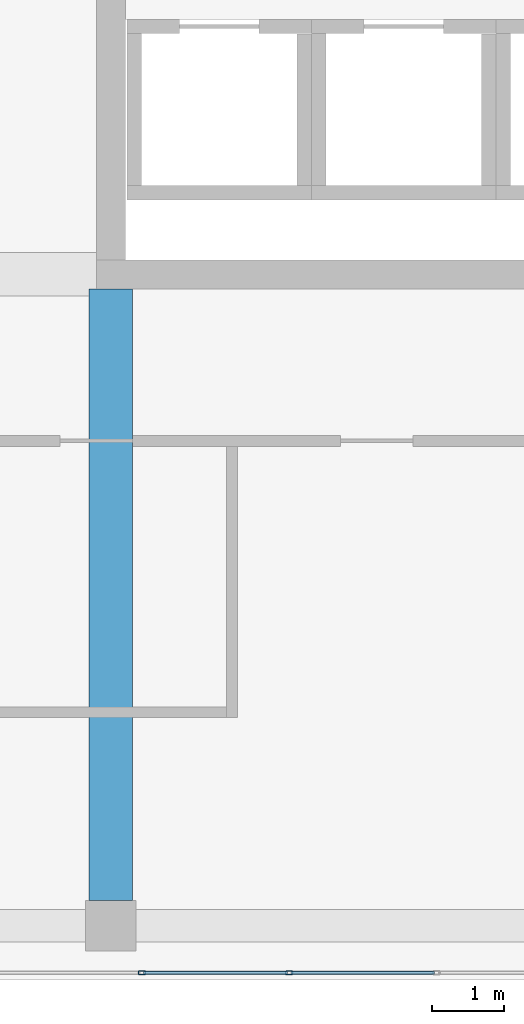
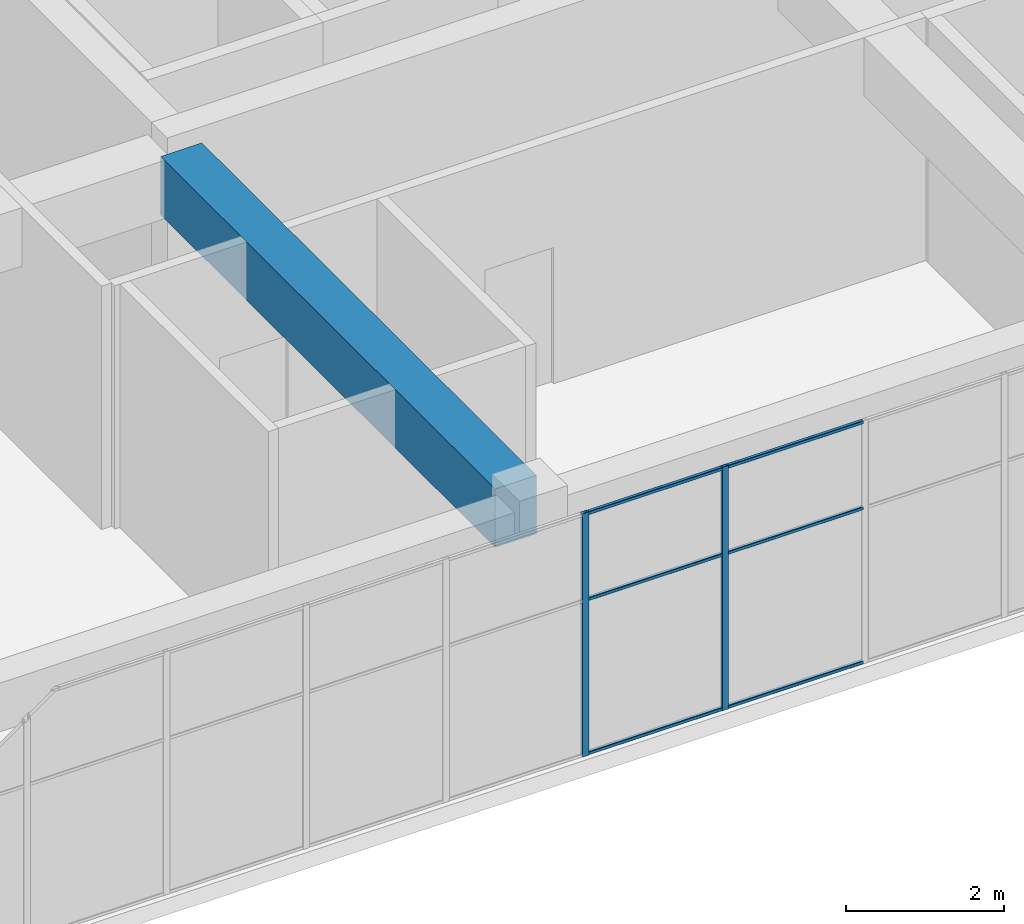
# One storey, part 12 of 43: 8 members, 1 beam, 1 element without a shape of its own.
"""IFC4 building model written with IfcOpenShell, lengths in metres."""

from ifc_helpers import new_model, si_unit, direction, frame, origin, origin_2d, place, context, subcontext, project, spatial, rectangle, hollow_rectangle, extrude, material, layer, layer_set, material_profile, profile_set, type_object, element, aggregate, save


model = new_model("IFC4")

# Units and contexts
model_context = context("Model", 3, precision=1e-05, world=origin(), true_north=direction((0.0, 1.0)))
body_context = subcontext(model_context, "Body", "Model", "MODEL_VIEW")
ifc_project = project(units=[si_unit("LENGTHUNIT", "METRE"), si_unit("AREAUNIT", "SQUARE_METRE"), si_unit("VOLUMEUNIT", "CUBIC_METRE"), si_unit("PLANEANGLEUNIT", "RADIAN"), si_unit("MASSUNIT", "GRAM", prefix="KILO")], contexts=[model_context])

# Site, building, storey
site_placement = place(None, origin())
site = spatial("IfcSite", under=ifc_project, at=site_placement, CompositionType="ELEMENT")
building_placement = place(site_placement, origin())
building = spatial("IfcBuilding", under=site, at=building_placement, Name="Tuart Plaza Theatre", CompositionType="ELEMENT")
storey_placement = place(building_placement, frame((0.0, 0.0, 33.5)))
storey = spatial("IfcBuildingStorey", under=building, at=storey_placement, Name="L08", CompositionType="ELEMENT", Elevation=33.5)

# Beam
ifc_material_1 = material(Name="Concrete N40 (40 MPa)", Category="concrete")
ifc_material_profile_1 = material_profile(ifc_material_1, rectangle(XDim=0.60009765625, YDim=0.89990234375, at=origin_2d()), Name="BEAM 600x900 Concrete N40 (40 MPa)")
ifc_profile_set_1 = profile_set([ifc_material_profile_1], Name="Concrete N40 (40 MPa)")
beam_type = type_object("IfcBeamType", Name="BEAM 600x900 Concrete N40 (40 MPa)", PredefinedType="BEAM", material=ifc_profile_set_1)
beam_placement = place(storey_placement, frame((123.0, 56.35009765625, 3.300048828125), z_axis=(0.0, 1.0, 0.0), x_axis=(-1.0, 0.0, 0.0)))
element("IfcBeam", 1, at=beam_placement, inside=storey, type_object=beam_type, Name="RB264", PredefinedType="BEAM", context=body_context, shape_type="SweptSolid", body=[
    extrude(rectangle(XDim=0.60009765625, YDim=0.89990234375, at=origin_2d()), origin(), (0.0, 0.0, 1.0), 8.449951171875),
])

# Curtain wall, members
ifc_material_2 = material(Name="Aluminium and glass", Category="aluminium")
ifc_layer = layer(ifc_material_2, 0.10009765625)
ifc_layer_set = layer_set([ifc_layer], Name="CURTAIN WALL 2000 module")
curtain_wall_type = type_object("IfcCurtainWallType", Name="CURTAIN WALL 2000 module", PredefinedType="NOTDEFINED", material=ifc_layer_set)
curtain_wall_placement = place(storey_placement, origin())
curtain_wall = element("IfcCurtainWall", 2, at=curtain_wall_placement, inside=storey, type_object=curtain_wall_type, Name="CW88", PredefinedType="NOTDEFINED")
ifc_material_3 = material(Name="Aluminium 6063-T5", Category="aluminium")
ifc_material_profile_2 = material_profile(ifc_material_3, hollow_rectangle(XDim=0.050048828125, YDim=0.10009765625, WallThickness=0.00390625, InnerFilletRadius=0.00390625, OuterFilletRadius=0.008056640625, at=origin_2d()), Name="RHS 100x50x4")
ifc_profile_set_2 = profile_set([ifc_material_profile_2], Name="Aluminium 6063-T5")
member_type_1 = type_object("IfcMemberType", Name="MULLION RHS 100x50x4", PredefinedType="MULLION", material=ifc_profile_set_2)
member_1_placement = place(storey_placement, frame((123.428466796875, 55.35009765625, 0.0), z_axis=(0.0, 0.0, 1.0), x_axis=(0.0, 1.0, 0.0)))
member_1 = element("IfcMember", 3, at=member_1_placement, type_object=member_type_1, Name="CW88 mullion 6", PredefinedType="MULLION", context=body_context, shape_type="SweptSolid", body=[
    extrude(hollow_rectangle(XDim=0.050048828125, YDim=0.10009765625, WallThickness=0.00390625, InnerFilletRadius=0.00390625, OuterFilletRadius=0.008056640625, at=origin_2d()), origin(), (0.0, 0.0, 1.0), 3.75),
])
member_2_placement = place(storey_placement, frame((125.46435546875, 55.35009765625, 0.0), z_axis=(0.0, 0.0, 1.0), x_axis=(0.0, 1.0, 0.0)))
member_2 = element("IfcMember", 4, at=member_2_placement, type_object=member_type_1, Name="CW88 mullion 7", PredefinedType="MULLION", context=body_context, shape_type="SweptSolid", body=[
    extrude(hollow_rectangle(XDim=0.050048828125, YDim=0.10009765625, WallThickness=0.00390625, InnerFilletRadius=0.00390625, OuterFilletRadius=0.008056640625, at=origin_2d()), origin(), (0.0, 0.0, 1.0), 3.75),
])
ifc_material_4 = material(Name="Aluminium 6063-T5", Category="aluminium")
ifc_material_profile_3 = material_profile(ifc_material_4, hollow_rectangle(XDim=0.050048828125, YDim=0.050048828125, WallThickness=0.00390625, InnerFilletRadius=0.00390625, OuterFilletRadius=0.008056640625, at=origin_2d()), Name="RHS 50x50x4")
ifc_profile_set_3 = profile_set([ifc_material_profile_3], Name="Aluminium 6063-T5")
member_type_2 = type_object("IfcMemberType", Name="TRANSOM RHS 50x50x4", PredefinedType="USERDEFINED", material=ifc_profile_set_3)
member_3_placement = place(storey_placement, frame((123.45361328125, 55.35009765625, 0.02490234375), z_axis=(1.0, 0.0, 0.0), x_axis=(0.0, 1.0, 0.0)))
member_3 = element("IfcMember", 5, at=member_3_placement, type_object=member_type_2, Name="CW88 transom 6.1", ObjectType="TRANSOM", PredefinedType="USERDEFINED", context=body_context, shape_type="SweptSolid", body=[
    extrude(hollow_rectangle(XDim=0.050048828125, YDim=0.050048828125, WallThickness=0.00390625, InnerFilletRadius=0.00390625, OuterFilletRadius=0.008056640625, at=origin_2d()), origin(), (0.0, 0.0, 1.0), 1.985595703125),
])
member_4_placement = place(storey_placement, frame((123.45361328125, 55.35009765625, 2.39990234375), z_axis=(1.0, 0.0, 0.0), x_axis=(0.0, 1.0, 0.0)))
member_4 = element("IfcMember", 6, at=member_4_placement, type_object=member_type_2, Name="CW88 transom 6.2", ObjectType="TRANSOM", PredefinedType="USERDEFINED", context=body_context, shape_type="SweptSolid", body=[
    extrude(hollow_rectangle(XDim=0.050048828125, YDim=0.050048828125, WallThickness=0.00390625, InnerFilletRadius=0.00390625, OuterFilletRadius=0.008056640625, at=origin_2d()), origin(), (0.0, 0.0, 1.0), 1.985595703125),
])
member_5_placement = place(storey_placement, frame((123.45361328125, 55.35009765625, 3.72509765625), z_axis=(1.0, 0.0, 0.0), x_axis=(0.0, 1.0, 0.0)))
member_5 = element("IfcMember", 7, at=member_5_placement, type_object=member_type_2, Name="CW88 transom 6.3", ObjectType="TRANSOM", PredefinedType="USERDEFINED", context=body_context, shape_type="SweptSolid", body=[
    extrude(hollow_rectangle(XDim=0.050048828125, YDim=0.050048828125, WallThickness=0.00390625, InnerFilletRadius=0.00390625, OuterFilletRadius=0.008056640625, at=origin_2d()), origin(), (0.0, 0.0, 1.0), 1.985595703125),
])
member_6_placement = place(storey_placement, frame((125.4892578125, 55.35009765625, 0.02490234375), z_axis=(1.0, 0.0, 0.0), x_axis=(0.0, 1.0, 0.0)))
member_6 = element("IfcMember", 8, at=member_6_placement, type_object=member_type_2, Name="CW88 transom 7.1", ObjectType="TRANSOM", PredefinedType="USERDEFINED", context=body_context, shape_type="SweptSolid", body=[
    extrude(hollow_rectangle(XDim=0.050048828125, YDim=0.050048828125, WallThickness=0.00390625, InnerFilletRadius=0.00390625, OuterFilletRadius=0.008056640625, at=origin_2d()), origin(), (0.0, 0.0, 1.0), 1.98583984375),
])
member_7_placement = place(storey_placement, frame((125.4892578125, 55.35009765625, 2.39990234375), z_axis=(1.0, 0.0, 0.0), x_axis=(0.0, 1.0, 0.0)))
member_7 = element("IfcMember", 9, at=member_7_placement, type_object=member_type_2, Name="CW88 transom 7.2", ObjectType="TRANSOM", PredefinedType="USERDEFINED", context=body_context, shape_type="SweptSolid", body=[
    extrude(hollow_rectangle(XDim=0.050048828125, YDim=0.050048828125, WallThickness=0.00390625, InnerFilletRadius=0.00390625, OuterFilletRadius=0.008056640625, at=origin_2d()), origin(), (0.0, 0.0, 1.0), 1.98583984375),
])
member_8_placement = place(storey_placement, frame((125.4892578125, 55.35009765625, 3.72509765625), z_axis=(1.0, 0.0, 0.0), x_axis=(0.0, 1.0, 0.0)))
member_8 = element("IfcMember", 10, at=member_8_placement, type_object=member_type_2, Name="CW88 transom 7.3", ObjectType="TRANSOM", PredefinedType="USERDEFINED", context=body_context, shape_type="SweptSolid", body=[
    extrude(hollow_rectangle(XDim=0.050048828125, YDim=0.050048828125, WallThickness=0.00390625, InnerFilletRadius=0.00390625, OuterFilletRadius=0.008056640625, at=origin_2d()), origin(), (0.0, 0.0, 1.0), 1.98583984375),
])
aggregate(curtain_wall, [member_1, member_2, member_3, member_4, member_5, member_6, member_7, member_8])

save(model, "model.ifc")
